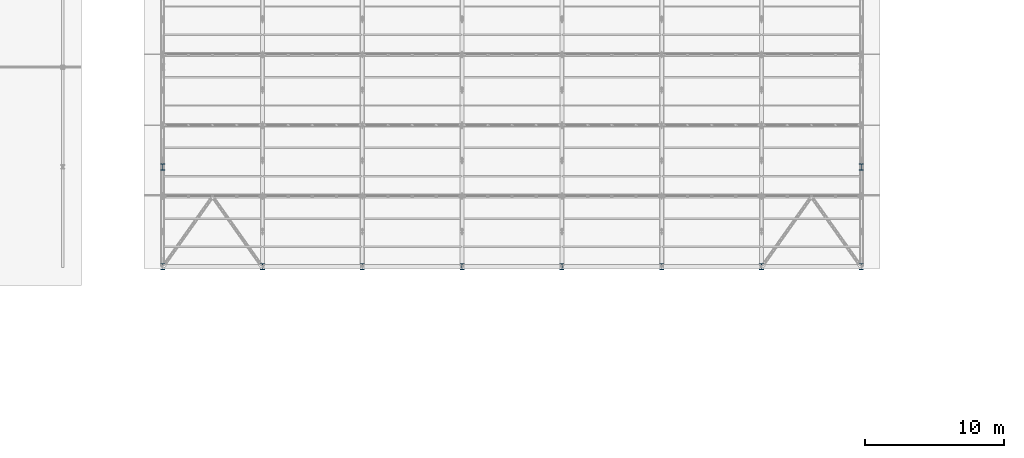
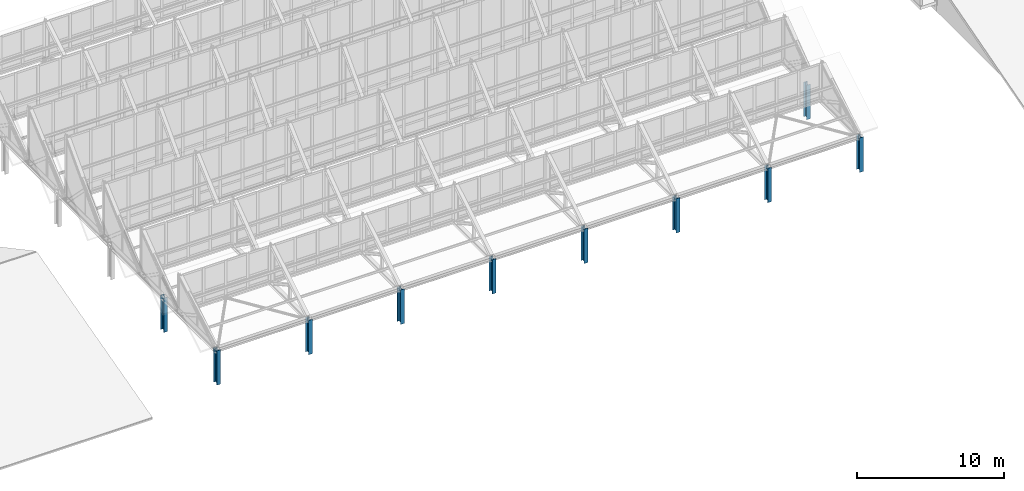
# One storey, part 5 of 157: 10 columns.
"""IFC4 building model written with IfcOpenShell, lengths in metres."""

import ifcopenshell
import ifcopenshell.guid

model = None  # the IFC model being written
_history = None  # IfcOwnerHistory: only IFC2X3 demands one
_inside = {}  # id of a spatial element -> (the spatial element, [elements in it])
_under = {}  # id of a project, library or spatial element -> (it, [spatial elements below it])
_declared = {}  # id of a project -> (the project, [libraries it declares])
_typed = {}  # id of a type object -> (the type object, [elements of that type])
_made_of = {}  # id of a material, layer set ... -> (it, [elements and type objects made of it])


def new_model(schema):
    """Start an empty IFC model of exactly this schema.

    Asked for "IFC4X3", IfcOpenShell would pick the latest addendum, in which some entities
    have other attributes; the version numbers below select the first issue.
    IFC2X3 requires an IfcOwnerHistory on every rooted entity: one is made here for all.
    """
    global model, _history
    if schema == "IFC4X3":
        model = ifcopenshell.file(schema_version=(4, 3, 0, 0))
    else:
        model = ifcopenshell.file(schema=schema)
    _inside.clear()
    _under.clear()
    _declared.clear()
    _typed.clear()
    _made_of.clear()
    _history = None
    if model.schema == "IFC2X3":
        org = make("IfcOrganization", Name="unknown")
        user = make(
            "IfcPersonAndOrganization",
            ThePerson=make("IfcPerson", FamilyName="unknown"),
            TheOrganization=org,
        )
        app = make(
            "IfcApplication",
            ApplicationDeveloper=org,
            Version="unknown",
            ApplicationFullName="unknown",
            ApplicationIdentifier="unknown",
        )
        _history = make(
            "IfcOwnerHistory",
            OwningUser=user,
            OwningApplication=app,
            ChangeAction="ADDED",
            CreationDate=0,
        )
    return model


def make(cls, **values):
    """One entity of the class cls with the attributes given. An attribute that is None is left unset."""
    return model.create_entity(
        cls, **{name: value for name, value in values.items() if value is not None}
    )


def rooted(cls, **values):
    """An entity with a GlobalId (a new one), such as an element, a storey or a relation."""
    return make(cls, GlobalId=ifcopenshell.guid.new(), OwnerHistory=_history, **values)


def si_unit(unit_type, name, prefix=None):
    """IfcSIUnit, for example si_unit("LENGTHUNIT", "METRE", prefix="MILLI")."""
    return make("IfcSIUnit", UnitType=unit_type, Prefix=prefix, Name=name)


def assignment(units):
    """IfcUnitAssignment: the units of a project."""
    return None if units is None else make("IfcUnitAssignment", Units=units)


def point(xyz):
    """IfcCartesianPoint."""
    return None if xyz is None else make("IfcCartesianPoint", Coordinates=xyz)


def direction(xyz):
    """IfcDirection."""
    return None if xyz is None else make("IfcDirection", DirectionRatios=xyz)


def frame(location, z_axis=None, x_axis=None):
    """IfcAxis2Placement3D, a coordinate frame: its origin and axes. An axis left out is left unset."""
    return make(
        "IfcAxis2Placement3D",
        Location=point(location),
        Axis=direction(z_axis),
        RefDirection=direction(x_axis),
    )


def frame_2d(location, x_axis=None):
    """IfcAxis2Placement2D, a coordinate frame in the plane: its origin and x axis."""
    return make(
        "IfcAxis2Placement2D", Location=point(location), RefDirection=direction(x_axis)
    )


def origin():
    """The frame at (0, 0, 0) with its axes left unset."""
    return frame((0.0, 0.0, 0.0))


def origin_2d():
    """The frame at (0, 0) in the plane with its x axis left unset."""
    return frame_2d((0.0, 0.0))


def place(relative_to, where):
    """IfcLocalPlacement: puts the frame where relative to a parent placement (None: the world)."""
    return make(
        "IfcLocalPlacement", PlacementRelTo=relative_to, RelativePlacement=where
    )


def context(
    kind, dimensions, precision=None, world=None, true_north=None, identifier=None
):
    """IfcGeometricRepresentationContext, for example the 3D "Model" context."""
    return make(
        "IfcGeometricRepresentationContext",
        ContextIdentifier=identifier,
        ContextType=kind,
        CoordinateSpaceDimension=dimensions,
        Precision=precision,
        WorldCoordinateSystem=world,
        TrueNorth=true_north,
    )


def subcontext(parent, identifier, kind, view, scale=None):
    """IfcGeometricRepresentationSubContext, for example "Body" below "Model"."""
    return make(
        "IfcGeometricRepresentationSubContext",
        ContextIdentifier=identifier,
        ContextType=kind,
        ParentContext=parent,
        TargetScale=scale,
        TargetView=view,
    )


def project(units=None, contexts=None):
    """IfcProject with its units and contexts."""
    return rooted(
        "IfcProject",
        Name="project",
        RepresentationContexts=contexts,
        UnitsInContext=assignment(units),
    )


def spatial(cls, under=None, at=None, **own):
    """A site, building, storey or space (cls), placed at a placement, below another one or the project."""
    s = rooted(cls, ObjectPlacement=at, **own)
    if under is not None:
        _under.setdefault(under.id(), (under, []))[1].append(s)
    return s


def profile(cls, at=None, kind="AREA", **sizes):
    """A parametric profile (cls). Its sizes go by their IFC names, for example OverallWidth=200.0."""
    return make(cls, ProfileType=kind, Position=at, **sizes)


def i_section(**sizes):
    """IfcIShapeProfileDef."""
    return profile("IfcIShapeProfileDef", **sizes)


def extrude(swept, where, along, depth):
    """IfcExtrudedAreaSolid: the profile swept, set in the frame where, extruded along a direction by depth."""
    return make(
        "IfcExtrudedAreaSolid",
        SweptArea=swept,
        Position=where,
        ExtrudedDirection=direction(along),
        Depth=depth,
    )


def shape(context_of_items, identifier, shape_type, items):
    """IfcShapeRepresentation: the items that make up one representation, for example the "Body"."""
    return make(
        "IfcShapeRepresentation",
        ContextOfItems=context_of_items,
        RepresentationIdentifier=identifier,
        RepresentationType=shape_type,
        Items=items,
    )


def material(Name=None, Category=None):
    """IfcMaterial."""
    return make("IfcMaterial", Name=Name, Category=Category)


def material_profile(
    of_material, cross_section, Name=None, Category=None, Priority=None
):
    """IfcMaterialProfile: a cross section and its material."""
    return make(
        "IfcMaterialProfile",
        Name=Name,
        Material=of_material,
        Profile=cross_section,
        Priority=Priority,
        Category=Category,
    )


def profile_set(profiles, Name=None, composite=None):
    """IfcMaterialProfileSet."""
    return make(
        "IfcMaterialProfileSet",
        Name=Name,
        MaterialProfiles=profiles,
        CompositeProfile=composite,
    )


def made_of(thing, what):
    """Note that an element or type object is made of a material, layer set ...; save() writes the relation."""
    if what is not None:
        _made_of.setdefault(what.id(), (what, []))[1].append(thing)
    return thing


def type_object(cls, material=None, **own):
    """A type object (cls), such as IfcWallType, which elements share."""
    return made_of(rooted(cls, **own), material)


def element(
    cls,
    number,
    at=None,
    inside=None,
    cuts=None,
    type_object=None,
    material=None,
    context=None,
    identifier="Body",
    shape_type=None,
    held_by="IfcProductDefinitionShape",
    body=None,
    shapes=None,
    **own,
):
    """One element of the class cls, such as IfcWall. Its Tag is "e" and its number.

    at: its placement. inside: the storey or other place that contains it. cuts: it is an
    opening in that element (IfcRelVoidsElement). A single representation is given by context,
    identifier, shape_type and body (its items); several are given by shapes. held_by: the class
    of the entity that holds the representations. save() writes the other relations.
    """
    e = rooted(cls, Tag="e%d" % number, ObjectPlacement=at, **own)
    if body is not None:
        shapes = [shape(context, identifier, shape_type, body)]
    if shapes is not None:
        e.Representation = make(held_by, Representations=shapes)
    if inside is not None:
        _inside.setdefault(inside.id(), (inside, []))[1].append(e)
    if cuts is not None:
        rooted(
            "IfcRelVoidsElement", RelatingBuildingElement=cuts, RelatedOpeningElement=e
        )
    if type_object is not None:
        _typed.setdefault(type_object.id(), (type_object, []))[1].append(e)
    return made_of(e, material)


def aggregate(whole, parts):
    """IfcRelAggregates: a whole, such as a stair, and the parts it consists of."""
    return rooted("IfcRelAggregates", RelatingObject=whole, RelatedObjects=parts)


def save(model, path):
    """Write the relations noted so far, then the file.

    IfcRelAggregates (storeys below a building ...), IfcRelContainedInSpatialStructure (elements
    in a storey), IfcRelDefinesByType, IfcRelAssociatesMaterial and IfcRelDeclares: one each for
    every whole, place, type object, material and project.
    """
    for whole, parts in _under.values():
        aggregate(whole, parts)
    for where, things in _inside.values():
        rooted(
            "IfcRelContainedInSpatialStructure",
            RelatedElements=things,
            RelatingStructure=where,
        )
    for kind, things in _typed.values():
        rooted("IfcRelDefinesByType", RelatedObjects=things, RelatingType=kind)
    for what, things in _made_of.values():
        rooted("IfcRelAssociatesMaterial", RelatedObjects=things, RelatingMaterial=what)
    for by, libraries in _declared.values():
        rooted("IfcRelDeclares", RelatingContext=by, RelatedDefinitions=libraries)
    model.write(path)


model = new_model("IFC4")

# Units and contexts
model_context = context("Model", 3, precision=1e-05, world=origin(), true_north=direction((0.0, 1.0)))
body_context = subcontext(model_context, "Body", "Model", "MODEL_VIEW")
ifc_project = project(units=[si_unit("LENGTHUNIT", "METRE"), si_unit("AREAUNIT", "SQUARE_METRE"), si_unit("VOLUMEUNIT", "CUBIC_METRE"), si_unit("PLANEANGLEUNIT", "RADIAN"), si_unit("MASSUNIT", "GRAM", prefix="KILO")], contexts=[model_context])

# Site, building, storey
site_placement = place(None, origin())
site = spatial("IfcSite", under=ifc_project, at=site_placement, CompositionType="ELEMENT")
building_placement = place(site_placement, origin())
building = spatial("IfcBuilding", under=site, at=building_placement, Name="Suanplinth Sawtooth Commons", CompositionType="ELEMENT")
storey_placement = place(building_placement, frame((0.0, 0.0, 9.0)))
storey = spatial("IfcBuildingStorey", under=building, at=storey_placement, Name="L02", CompositionType="ELEMENT", Elevation=9.0)

# Columns
ifc_material = material(Name="Steel S355JR", Category="steel")
ifc_material_profile = material_profile(ifc_material, i_section(OverallWidth=0.300048828125, OverallDepth=0.449951171875, WebThickness=0.013916015625, FlangeThickness=0.02587890625, at=origin_2d()), Name="HEB 450")
ifc_profile_set = profile_set([ifc_material_profile], Name="Steel S355JR")
column_type = type_object("IfcColumnType", Name="C-09", PredefinedType="COLUMN", material=ifc_profile_set)
for number, where, z_axis, x_axis, name in (
    (1, (64.800048828125, 50.39990234375, 0.0), (0.0, 0.0, 1.0), (1.0, 0.0, 0.0), "Column L02 10/H"),
    (2, (64.800048828125, 57.60009765625, 0.0), (0.0, 0.0, 1.0), (1.0, 0.0, 0.0), "Column L02 10/J"),
    (3, (72.0, 50.39990234375, 0.0), (0.0, 0.0, 1.0), (1.0, 0.0, 0.0), "Column L02 11/H"),
    (4, (79.199951171875, 50.39990234375, 0.0), (0.0, 0.0, 1.0), (1.0, 0.0, 0.0), "Column L02 12/H"),
    (5, (86.39990234375, 50.39990234375, 0.0), (0.0, 0.0, 1.0), (1.0, 0.0, 0.0), "Column L02 13/H"),
    (6, (93.60009765625, 50.39990234375, 0.0), (0.0, 0.0, 1.0), (1.0, 0.0, 0.0), "Column L02 14/H"),
    (7, (100.800048828125, 50.39990234375, 0.0), (0.0, 0.0, 1.0), (1.0, 0.0, 0.0), "Column L02 15/H"),
    (8, (108.0, 50.39990234375, 0.0), (0.0, 0.0, 1.0), (1.0, 0.0, 0.0), "Column L02 16/H"),
    (9, (115.199951171875, 50.39990234375, 0.0), (0.0, 0.0, 1.0), (1.0, 0.0, 0.0), "Column L02 17/H"),
    (10, (115.199951171875, 57.60009765625, 0.0), (0.0, 0.0, 1.0), (1.0, 0.0, 0.0), "Column L02 17/J"),
):
    element("IfcColumn", number, at=place(storey_placement, frame(where, z_axis=z_axis, x_axis=x_axis)), inside=storey, type_object=column_type, Name=name, PredefinedType="COLUMN", context=body_context, shape_type="SweptSolid", body=[
        extrude(i_section(OverallWidth=0.300048828125, OverallDepth=0.449951171875, WebThickness=0.013916015625, FlangeThickness=0.02587890625, at=origin_2d()), origin(), (0.0, 0.0, 1.0), 2.85009765625),
    ])

save(model, "model.ifc")
